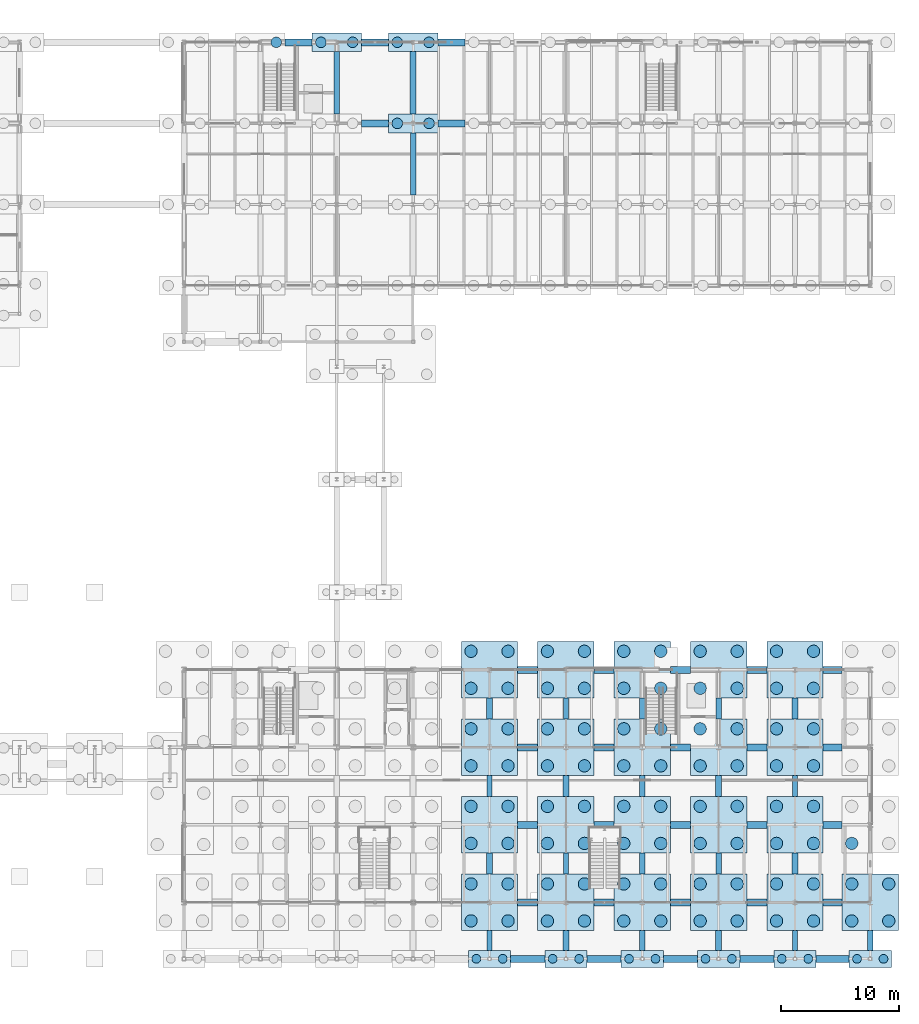
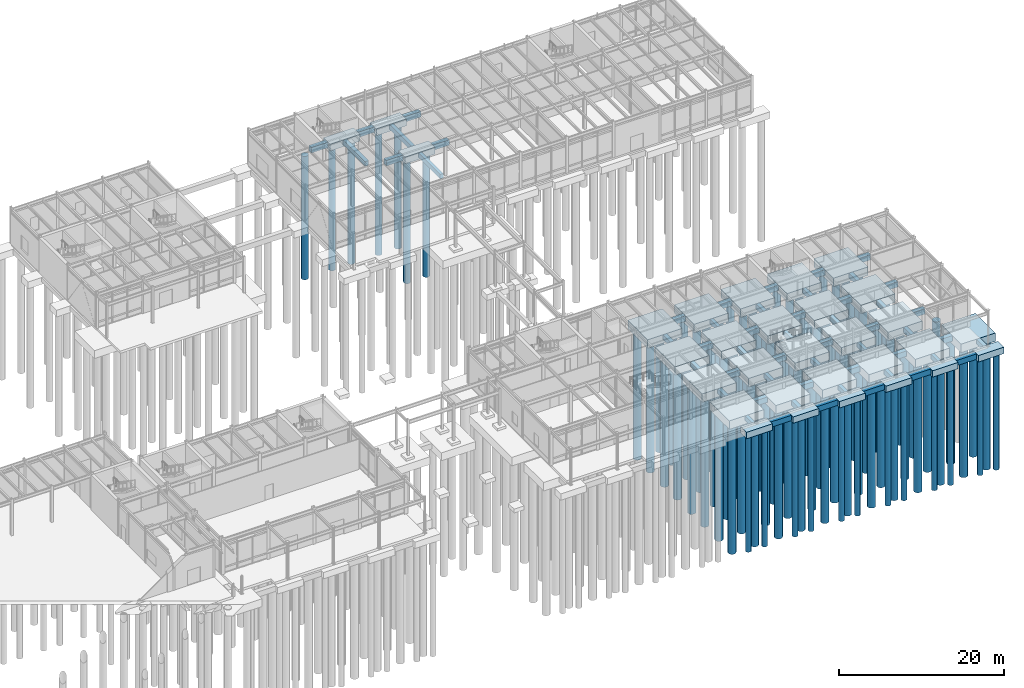
# One storey, part 6 of 82: 104 piles, 84 footings.
"""IFC4 building model written with IfcOpenShell, lengths in metres."""

from ifc_helpers import new_model, si_unit, direction, frame, origin, origin_2d, place, context, subcontext, project, spatial, rectangle, circle, extrude, material, material_profile, profile_set, type_object, element, save


model = new_model("IFC4")

# Units and contexts
model_context = context("Model", 3, precision=1e-05, world=origin(), true_north=direction((0.0, 1.0)))
body_context = subcontext(model_context, "Body", "Model", "MODEL_VIEW")
ifc_project = project(units=[si_unit("LENGTHUNIT", "METRE"), si_unit("AREAUNIT", "SQUARE_METRE"), si_unit("VOLUMEUNIT", "CUBIC_METRE"), si_unit("PLANEANGLEUNIT", "RADIAN"), si_unit("MASSUNIT", "GRAM", prefix="KILO")], contexts=[model_context])

# Site, building, storey
site_placement = place(None, origin())
site = spatial("IfcSite", under=ifc_project, at=site_placement, CompositionType="ELEMENT")
building_placement = place(site_placement, origin())
building = spatial("IfcBuilding", under=site, at=building_placement, Name="Trelmorton Wharf Fire Station", CompositionType="ELEMENT")
storey_placement = place(building_placement, origin())
storey = spatial("IfcBuildingStorey", under=building, at=storey_placement, Name="L00", CompositionType="ELEMENT", Elevation=0.0)

# Footings
ifc_material_1 = material(Name="Concrete 40 MPa", Category="concrete")
ifc_material_profile_1 = material_profile(ifc_material_1, rectangle(XDim=0.449951171875, YDim=0.64990234375, at=origin_2d()), Name="RC450x650")
ifc_profile_set_1 = profile_set([ifc_material_profile_1], Name="Concrete 40 MPa")
footing_type_1 = type_object("IfcFootingType", Name="GB_450x650", PredefinedType="FOOTING_BEAM", material=ifc_profile_set_1)
footing_1_placement = place(storey_placement, frame((123.5, 68.0, -0.675048828125), z_axis=(0.0, 1.0, 0.0), x_axis=(-1.0, 0.0, 0.0)))
element("IfcFooting", 1, at=footing_1_placement, inside=storey, type_object=footing_type_1, Name="FT-GB-321", PredefinedType="FOOTING_BEAM", context=body_context, shape_type="SweptSolid", body=[
    extrude(rectangle(XDim=0.449951171875, YDim=0.64990234375, at=origin_2d()), origin(), (0.0, 0.0, 1.0), 5.300048828125),
])
footing_2_placement = place(storey_placement, frame((130.0, 3.72509765625, -0.675048828125), z_axis=(0.0, 1.0, 0.0), x_axis=(-1.0, 0.0, 0.0)))
element("IfcFooting", 2, at=footing_2_placement, inside=storey, type_object=footing_type_1, Name="FT-GB-323", PredefinedType="FOOTING_BEAM", context=body_context, shape_type="SweptSolid", body=[
    extrude(rectangle(XDim=0.449951171875, YDim=0.64990234375, at=origin_2d()), origin(), (0.0, 0.0, 1.0), 1.6748046875),
])
for number, where, z_axis, x_axis, name in (
    (3, (130.0, 16.800048828125, -0.675048828125), (0.0, 1.0, 0.0), (-1.0, 0.0, 0.0), "FT-GB-325"),
    (4, (136.5, 10.199951171875, -0.675048828125), (0.0, 1.0, 0.0), (-1.0, 0.0, 0.0), "FT-GB-331"),
    (5, (136.5, 23.39990234375, -0.675048828125), (0.0, 1.0, 0.0), (-1.0, 0.0, 0.0), "FT-GB-333"),
):
    element("IfcFooting", number, at=place(storey_placement, frame(where, z_axis=z_axis, x_axis=x_axis)), inside=storey, type_object=footing_type_1, Name=name, PredefinedType="FOOTING_BEAM", context=body_context, shape_type="SweptSolid", body=[
        extrude(rectangle(XDim=0.449951171875, YDim=0.64990234375, at=origin_2d()), origin(), (0.0, 0.0, 1.0), 1.800048828125),
    ])
footing_3_placement = place(storey_placement, frame((143.0, 3.72509765625, -0.675048828125), z_axis=(0.0, 1.0, 0.0), x_axis=(-1.0, 0.0, 0.0)))
element("IfcFooting", 6, at=footing_3_placement, inside=storey, type_object=footing_type_1, Name="FT-GB-337", PredefinedType="FOOTING_BEAM", context=body_context, shape_type="SweptSolid", body=[
    extrude(rectangle(XDim=0.449951171875, YDim=0.64990234375, at=origin_2d()), origin(), (0.0, 0.0, 1.0), 1.6748046875),
])
for number, where, z_axis, x_axis, name in (
    (7, (143.0, 16.800048828125, -0.675048828125), (0.0, 1.0, 0.0), (-1.0, 0.0, 0.0), "FT-GB-339"),
    (8, (149.5, 10.199951171875, -0.675048828125), (0.0, 1.0, 0.0), (-1.0, 0.0, 0.0), "FT-GB-345"),
    (9, (149.5, 23.39990234375, -0.675048828125), (0.0, 1.0, 0.0), (-1.0, 0.0, 0.0), "FT-GB-347"),
):
    element("IfcFooting", number, at=place(storey_placement, frame(where, z_axis=z_axis, x_axis=x_axis)), inside=storey, type_object=footing_type_1, Name=name, PredefinedType="FOOTING_BEAM", context=body_context, shape_type="SweptSolid", body=[
        extrude(rectangle(XDim=0.449951171875, YDim=0.64990234375, at=origin_2d()), origin(), (0.0, 0.0, 1.0), 1.800048828125),
    ])
footing_4_placement = place(storey_placement, frame((156.0, 3.72509765625, -0.675048828125), z_axis=(0.0, 1.0, 0.0), x_axis=(-1.0, 0.0, 0.0)))
element("IfcFooting", 10, at=footing_4_placement, inside=storey, type_object=footing_type_1, Name="FT-GB-351", PredefinedType="FOOTING_BEAM", context=body_context, shape_type="SweptSolid", body=[
    extrude(rectangle(XDim=0.449951171875, YDim=0.64990234375, at=origin_2d()), origin(), (0.0, 0.0, 1.0), 1.6748046875),
])
footing_5_placement = place(storey_placement, frame((156.0, 16.800048828125, -0.675048828125), z_axis=(0.0, 1.0, 0.0), x_axis=(-1.0, 0.0, 0.0)))
element("IfcFooting", 11, at=footing_5_placement, inside=storey, type_object=footing_type_1, Name="FT-GB-353", PredefinedType="FOOTING_BEAM", context=body_context, shape_type="SweptSolid", body=[
    extrude(rectangle(XDim=0.449951171875, YDim=0.64990234375, at=origin_2d()), origin(), (0.0, 0.0, 1.0), 1.800048828125),
])
ifc_material_profile_2 = material_profile(ifc_material_1, rectangle(XDim=0.5, YDim=0.699951171875, at=origin_2d()), Name="RC500x700")
ifc_profile_set_2 = profile_set([ifc_material_profile_2], Name="Concrete 40 MPa")
footing_type_2 = type_object("IfcFootingType", Name="GB_500x700", PredefinedType="FOOTING_BEAM", material=ifc_profile_set_2)
for number, where, z_axis, x_axis, name in (
    (12, (117.0, 74.89990234375, -0.699951171875), (0.0, 1.0, 0.0), (-1.0, 0.0, 0.0), "FT-GB-314"),
    (13, (123.5, 74.89990234375, -0.699951171875), (0.0, 1.0, 0.0), (-1.0, 0.0, 0.0), "FT-GB-322"),
):
    element("IfcFooting", number, at=place(storey_placement, frame(where, z_axis=z_axis, x_axis=x_axis)), inside=storey, type_object=footing_type_2, Name=name, PredefinedType="FOOTING_BEAM", context=body_context, shape_type="SweptSolid", body=[
        extrude(rectangle(XDim=0.5, YDim=0.699951171875, at=origin_2d()), origin(), (0.0, 0.0, 1.0), 5.300048828125),
    ])
for number, where, z_axis, x_axis, name in (
    (14, (130.0, 10.199951171875, -0.699951171875), (0.0, 1.0, 0.0), (-1.0, 0.0, 0.0), "FT-GB-324"),
    (15, (130.0, 23.39990234375, -0.699951171875), (0.0, 1.0, 0.0), (-1.0, 0.0, 0.0), "FT-GB-326"),
):
    element("IfcFooting", number, at=place(storey_placement, frame(where, z_axis=z_axis, x_axis=x_axis)), inside=storey, type_object=footing_type_2, Name=name, PredefinedType="FOOTING_BEAM", context=body_context, shape_type="SweptSolid", body=[
        extrude(rectangle(XDim=0.5, YDim=0.699951171875, at=origin_2d()), origin(), (0.0, 0.0, 1.0), 1.800048828125),
    ])
footing_6_placement = place(storey_placement, frame((136.5, 3.72509765625, -0.699951171875), z_axis=(0.0, 1.0, 0.0), x_axis=(-1.0, 0.0, 0.0)))
element("IfcFooting", 16, at=footing_6_placement, inside=storey, type_object=footing_type_2, Name="FT-GB-330", PredefinedType="FOOTING_BEAM", context=body_context, shape_type="SweptSolid", body=[
    extrude(rectangle(XDim=0.5, YDim=0.699951171875, at=origin_2d()), origin(), (0.0, 0.0, 1.0), 1.6748046875),
])
for number, where, z_axis, x_axis, name in (
    (17, (136.5, 16.800048828125, -0.699951171875), (0.0, 1.0, 0.0), (-1.0, 0.0, 0.0), "FT-GB-332"),
    (18, (143.0, 10.199951171875, -0.699951171875), (0.0, 1.0, 0.0), (-1.0, 0.0, 0.0), "FT-GB-338"),
    (19, (143.0, 23.39990234375, -0.699951171875), (0.0, 1.0, 0.0), (-1.0, 0.0, 0.0), "FT-GB-340"),
):
    element("IfcFooting", number, at=place(storey_placement, frame(where, z_axis=z_axis, x_axis=x_axis)), inside=storey, type_object=footing_type_2, Name=name, PredefinedType="FOOTING_BEAM", context=body_context, shape_type="SweptSolid", body=[
        extrude(rectangle(XDim=0.5, YDim=0.699951171875, at=origin_2d()), origin(), (0.0, 0.0, 1.0), 1.800048828125),
    ])
footing_7_placement = place(storey_placement, frame((149.5, 3.72509765625, -0.699951171875), z_axis=(0.0, 1.0, 0.0), x_axis=(-1.0, 0.0, 0.0)))
element("IfcFooting", 20, at=footing_7_placement, inside=storey, type_object=footing_type_2, Name="FT-GB-344", PredefinedType="FOOTING_BEAM", context=body_context, shape_type="SweptSolid", body=[
    extrude(rectangle(XDim=0.5, YDim=0.699951171875, at=origin_2d()), origin(), (0.0, 0.0, 1.0), 1.6748046875),
])
for number, where, z_axis, x_axis, name in (
    (21, (149.5, 16.800048828125, -0.699951171875), (0.0, 1.0, 0.0), (-1.0, 0.0, 0.0), "FT-GB-346"),
    (22, (156.0, 10.199951171875, -0.699951171875), (0.0, 1.0, 0.0), (-1.0, 0.0, 0.0), "FT-GB-352"),
    (23, (156.0, 23.39990234375, -0.699951171875), (0.0, 1.0, 0.0), (-1.0, 0.0, 0.0), "FT-GB-354"),
):
    element("IfcFooting", number, at=place(storey_placement, frame(where, z_axis=z_axis, x_axis=x_axis)), inside=storey, type_object=footing_type_2, Name=name, PredefinedType="FOOTING_BEAM", context=body_context, shape_type="SweptSolid", body=[
        extrude(rectangle(XDim=0.5, YDim=0.699951171875, at=origin_2d()), origin(), (0.0, 0.0, 1.0), 1.800048828125),
    ])
footing_8_placement = place(storey_placement, frame((162.39990234375, 3.72509765625, -0.699951171875), z_axis=(0.0, 1.0, 0.0), x_axis=(-1.0, 0.0, 0.0)))
element("IfcFooting", 24, at=footing_8_placement, inside=storey, type_object=footing_type_2, Name="FT-GB-358", PredefinedType="FOOTING_BEAM", context=body_context, shape_type="SweptSolid", body=[
    extrude(rectangle(XDim=0.5, YDim=0.699951171875, at=origin_2d()), origin(), (0.0, 0.0, 1.0), 1.6748046875),
])
ifc_material_profile_3 = material_profile(ifc_material_1, rectangle(XDim=0.60009765625, YDim=0.800048828125, at=origin_2d()), Name="RC600x800")
ifc_profile_set_3 = profile_set([ifc_material_profile_3], Name="Concrete 40 MPa")
footing_type_3 = type_object("IfcFootingType", Name="GB_600x800", PredefinedType="FOOTING_BEAM", material=ifc_profile_set_3)
for number, where, z_axis, x_axis, name in (
    (25, (131.800048828125, 3.0, -0.75), (1.0, 0.0, 0.0), (0.0, 1.0, 0.0), "FT-GB-019"),
    (26, (138.300048828125, 3.0, -0.75), (1.0, 0.0, 0.0), (0.0, 1.0, 0.0), "FT-GB-020"),
    (27, (144.800048828125, 3.0, -0.75), (1.0, 0.0, 0.0), (0.0, 1.0, 0.0), "FT-GB-021"),
    (28, (151.300048828125, 3.0, -0.75), (1.0, 0.0, 0.0), (0.0, 1.0, 0.0), "FT-GB-022"),
):
    element("IfcFooting", number, at=place(storey_placement, frame(where, z_axis=z_axis, x_axis=x_axis)), inside=storey, type_object=footing_type_3, Name=name, PredefinedType="FOOTING_BEAM", context=body_context, shape_type="SweptSolid", body=[
        extrude(rectangle(XDim=0.60009765625, YDim=0.800048828125, at=origin_2d()), origin(), (0.0, 0.0, 1.0), 2.89990234375),
    ])
footing_9_placement = place(storey_placement, frame((157.800048828125, 3.0, -0.75), z_axis=(1.0, 0.0, 0.0), x_axis=(0.0, 1.0, 0.0)))
element("IfcFooting", 29, at=footing_9_placement, inside=storey, type_object=footing_type_3, Name="FT-GB-023", PredefinedType="FOOTING_BEAM", context=body_context, shape_type="SweptSolid", body=[
    extrude(rectangle(XDim=0.60009765625, YDim=0.800048828125, at=origin_2d()), origin(), (0.0, 0.0, 1.0), 2.800048828125),
])
for number, where, z_axis, x_axis, name in (
    (30, (132.39990234375, 7.800048828125, -0.75), (1.0, 0.0, 0.0), (0.0, 1.0, 0.0), "FT-GB-042"),
    (31, (138.89990234375, 7.800048828125, -0.75), (1.0, 0.0, 0.0), (0.0, 1.0, 0.0), "FT-GB-043"),
    (32, (145.39990234375, 7.800048828125, -0.75), (1.0, 0.0, 0.0), (0.0, 1.0, 0.0), "FT-GB-044"),
    (33, (151.89990234375, 7.800048828125, -0.75), (1.0, 0.0, 0.0), (0.0, 1.0, 0.0), "FT-GB-045"),
):
    element("IfcFooting", number, at=place(storey_placement, frame(where, z_axis=z_axis, x_axis=x_axis)), inside=storey, type_object=footing_type_3, Name=name, PredefinedType="FOOTING_BEAM", context=body_context, shape_type="SweptSolid", body=[
        extrude(rectangle(XDim=0.60009765625, YDim=0.800048828125, at=origin_2d()), origin(), (0.0, 0.0, 1.0), 1.7001953125),
    ])
footing_10_placement = place(storey_placement, frame((158.39990234375, 7.800048828125, -0.75), z_axis=(1.0, 0.0, 0.0), x_axis=(0.0, 1.0, 0.0)))
element("IfcFooting", 34, at=footing_10_placement, inside=storey, type_object=footing_type_3, Name="FT-GB-046", PredefinedType="FOOTING_BEAM", context=body_context, shape_type="SweptSolid", body=[
    extrude(rectangle(XDim=0.60009765625, YDim=0.800048828125, at=origin_2d()), origin(), (0.0, 0.0, 1.0), 1.60009765625),
])
for number, where, z_axis, x_axis, name in (
    (35, (132.39990234375, 14.39990234375, -0.75), (1.0, 0.0, 0.0), (0.0, 1.0, 0.0), "FT-GB-052"),
    (36, (138.89990234375, 14.39990234375, -0.75), (1.0, 0.0, 0.0), (0.0, 1.0, 0.0), "FT-GB-053"),
    (37, (145.39990234375, 14.39990234375, -0.75), (1.0, 0.0, 0.0), (0.0, 1.0, 0.0), "FT-GB-054"),
    (38, (151.89990234375, 14.39990234375, -0.75), (1.0, 0.0, 0.0), (0.0, 1.0, 0.0), "FT-GB-055"),
):
    element("IfcFooting", number, at=place(storey_placement, frame(where, z_axis=z_axis, x_axis=x_axis)), inside=storey, type_object=footing_type_3, Name=name, PredefinedType="FOOTING_BEAM", context=body_context, shape_type="SweptSolid", body=[
        extrude(rectangle(XDim=0.60009765625, YDim=0.800048828125, at=origin_2d()), origin(), (0.0, 0.0, 1.0), 1.7001953125),
    ])
footing_11_placement = place(storey_placement, frame((158.39990234375, 14.39990234375, -0.75), z_axis=(1.0, 0.0, 0.0), x_axis=(0.0, 1.0, 0.0)))
element("IfcFooting", 39, at=footing_11_placement, inside=storey, type_object=footing_type_3, Name="FT-GB-056", PredefinedType="FOOTING_BEAM", context=body_context, shape_type="SweptSolid", body=[
    extrude(rectangle(XDim=0.60009765625, YDim=0.800048828125, at=origin_2d()), origin(), (0.0, 0.0, 1.0), 1.60009765625),
])
for number, where, z_axis, x_axis, name in (
    (40, (132.39990234375, 21.0, -0.75), (1.0, 0.0, 0.0), (0.0, 1.0, 0.0), "FT-GB-067"),
    (41, (138.89990234375, 21.0, -0.75), (1.0, 0.0, 0.0), (0.0, 1.0, 0.0), "FT-GB-068"),
    (42, (145.39990234375, 21.0, -0.75), (1.0, 0.0, 0.0), (0.0, 1.0, 0.0), "FT-GB-069"),
    (43, (151.89990234375, 21.0, -0.75), (1.0, 0.0, 0.0), (0.0, 1.0, 0.0), "FT-GB-070"),
):
    element("IfcFooting", number, at=place(storey_placement, frame(where, z_axis=z_axis, x_axis=x_axis)), inside=storey, type_object=footing_type_3, Name=name, PredefinedType="FOOTING_BEAM", context=body_context, shape_type="SweptSolid", body=[
        extrude(rectangle(XDim=0.60009765625, YDim=0.800048828125, at=origin_2d()), origin(), (0.0, 0.0, 1.0), 1.7001953125),
    ])
footing_12_placement = place(storey_placement, frame((158.39990234375, 21.0, -0.75), z_axis=(1.0, 0.0, 0.0), x_axis=(0.0, 1.0, 0.0)))
element("IfcFooting", 44, at=footing_12_placement, inside=storey, type_object=footing_type_3, Name="FT-GB-071", PredefinedType="FOOTING_BEAM", context=body_context, shape_type="SweptSolid", body=[
    extrude(rectangle(XDim=0.60009765625, YDim=0.800048828125, at=origin_2d()), origin(), (0.0, 0.0, 1.0), 1.60009765625),
])
for number, where, z_axis, x_axis, name in (
    (45, (132.39990234375, 27.60009765625, -0.75), (1.0, 0.0, 0.0), (0.0, 1.0, 0.0), "FT-GB-090"),
    (46, (138.89990234375, 27.60009765625, -0.75), (1.0, 0.0, 0.0), (0.0, 1.0, 0.0), "FT-GB-091"),
    (47, (145.39990234375, 27.60009765625, -0.75), (1.0, 0.0, 0.0), (0.0, 1.0, 0.0), "FT-GB-092"),
    (48, (151.89990234375, 27.60009765625, -0.75), (1.0, 0.0, 0.0), (0.0, 1.0, 0.0), "FT-GB-093"),
):
    element("IfcFooting", number, at=place(storey_placement, frame(where, z_axis=z_axis, x_axis=x_axis)), inside=storey, type_object=footing_type_3, Name=name, PredefinedType="FOOTING_BEAM", context=body_context, shape_type="SweptSolid", body=[
        extrude(rectangle(XDim=0.60009765625, YDim=0.800048828125, at=origin_2d()), origin(), (0.0, 0.0, 1.0), 1.7001953125),
    ])
footing_13_placement = place(storey_placement, frame((158.39990234375, 27.60009765625, -0.75), z_axis=(1.0, 0.0, 0.0), x_axis=(0.0, 1.0, 0.0)))
element("IfcFooting", 49, at=footing_13_placement, inside=storey, type_object=footing_type_3, Name="FT-GB-094", PredefinedType="FOOTING_BEAM", context=body_context, shape_type="SweptSolid", body=[
    extrude(rectangle(XDim=0.60009765625, YDim=0.800048828125, at=origin_2d()), origin(), (0.0, 0.0, 1.0), 1.60009765625),
])
for number, where, z_axis, x_axis, name in (
    (50, (119.10009765625, 74.10009765625, -0.75), (1.0, 0.0, 0.0), (0.0, 1.0, 0.0), "FT-GB-171"),
    (51, (125.60009765625, 74.10009765625, -0.75), (1.0, 0.0, 0.0), (0.0, 1.0, 0.0), "FT-GB-172"),
    (52, (112.60009765625, 81.0, -0.75), (1.0, 0.0, 0.0), (0.0, 1.0, 0.0), "FT-GB-191"),
    (53, (119.10009765625, 81.0, -0.75), (1.0, 0.0, 0.0), (0.0, 1.0, 0.0), "FT-GB-192"),
    (54, (125.60009765625, 81.0, -0.75), (1.0, 0.0, 0.0), (0.0, 1.0, 0.0), "FT-GB-193"),
):
    element("IfcFooting", number, at=place(storey_placement, frame(where, z_axis=z_axis, x_axis=x_axis)), inside=storey, type_object=footing_type_3, Name=name, PredefinedType="FOOTING_BEAM", context=body_context, shape_type="SweptSolid", body=[
        extrude(rectangle(XDim=0.60009765625, YDim=0.800048828125, at=origin_2d()), origin(), (0.0, 0.0, 1.0), 2.2998046875),
    ])
footing_type_4 = type_object("IfcFootingType", Name="PC_2P_750_W", PredefinedType="PILE_CAP", material=ifc_material_1)
for number, where, z_axis, x_axis, name in (
    (55, (130.0, 3.0, -1.2998046875), (0.0, 0.0, 1.0), (1.0, 0.0, 0.0), "FT-CAP-175"),
    (56, (136.5, 3.0, -1.2998046875), (0.0, 0.0, 1.0), (1.0, 0.0, 0.0), "FT-CAP-184"),
    (57, (143.0, 3.0, -1.2998046875), (0.0, 0.0, 1.0), (1.0, 0.0, 0.0), "FT-CAP-193"),
    (58, (149.5, 3.0, -1.2998046875), (0.0, 0.0, 1.0), (1.0, 0.0, 0.0), "FT-CAP-202"),
    (59, (156.0, 3.0, -1.2998046875), (0.0, 0.0, 1.0), (1.0, 0.0, 0.0), "FT-CAP-211"),
    (60, (162.39990234375, 3.0, -1.2998046875), (0.0, 0.0, 1.0), (1.0, 0.0, 0.0), "FT-CAP-220"),
):
    element("IfcFooting", number, at=place(storey_placement, frame(where, z_axis=z_axis, x_axis=x_axis)), inside=storey, type_object=footing_type_4, Name=name, PredefinedType="PILE_CAP", context=body_context, shape_type="SweptSolid", body=[
        extrude(rectangle(XDim=3.60009765625, YDim=1.449951171875, at=origin_2d()), origin(), (0.0, 0.0, 1.0), 0.949951171875),
    ])
footing_type_5 = type_object("IfcFootingType", Name="PC_2P_900_W", PredefinedType="PILE_CAP", material=ifc_material_1)
for number, where, z_axis, x_axis, name in (
    (61, (117.0, 81.0, -1.35009765625), (0.0, 0.0, 1.0), (1.0, 0.0, 0.0), "FT-CAP-163"),
    (62, (123.5, 74.10009765625, -1.35009765625), (0.0, 0.0, 1.0), (1.0, 0.0, 0.0), "FT-CAP-173"),
    (63, (123.5, 81.0, -1.35009765625), (0.0, 0.0, 1.0), (1.0, 0.0, 0.0), "FT-CAP-174"),
):
    element("IfcFooting", number, at=place(storey_placement, frame(where, z_axis=z_axis, x_axis=x_axis)), inside=storey, type_object=footing_type_5, Name=name, PredefinedType="PILE_CAP", context=body_context, shape_type="SweptSolid", body=[
        extrude(rectangle(XDim=4.199951171875, YDim=1.60009765625, at=origin_2d()), origin(), (0.0, 0.0, 1.0), 1.0),
    ])
footing_type_6 = type_object("IfcFootingType", Name="PC_4P_1050_W", PredefinedType="PILE_CAP", material=ifc_material_1)
for number, where, z_axis, x_axis, name in (
    (64, (130.0, 7.800048828125, -1.60009765625), (0.0, 0.0, 1.0), (1.0, 0.0, 0.0), "FT-CAP-176"),
    (65, (130.0, 14.39990234375, -1.60009765625), (0.0, 0.0, 1.0), (1.0, 0.0, 0.0), "FT-CAP-177"),
    (66, (130.0, 21.0, -1.60009765625), (0.0, 0.0, 1.0), (1.0, 0.0, 0.0), "FT-CAP-178"),
    (67, (130.0, 27.60009765625, -1.60009765625), (0.0, 0.0, 1.0), (1.0, 0.0, 0.0), "FT-CAP-179"),
    (68, (136.5, 7.800048828125, -1.60009765625), (0.0, 0.0, 1.0), (1.0, 0.0, 0.0), "FT-CAP-185"),
    (69, (136.5, 14.39990234375, -1.60009765625), (0.0, 0.0, 1.0), (1.0, 0.0, 0.0), "FT-CAP-186"),
    (70, (136.5, 21.0, -1.60009765625), (0.0, 0.0, 1.0), (1.0, 0.0, 0.0), "FT-CAP-187"),
    (71, (136.5, 27.60009765625, -1.60009765625), (0.0, 0.0, 1.0), (1.0, 0.0, 0.0), "FT-CAP-188"),
    (72, (143.0, 7.800048828125, -1.60009765625), (0.0, 0.0, 1.0), (1.0, 0.0, 0.0), "FT-CAP-194"),
    (73, (143.0, 14.39990234375, -1.60009765625), (0.0, 0.0, 1.0), (1.0, 0.0, 0.0), "FT-CAP-195"),
    (74, (143.0, 21.0, -1.60009765625), (0.0, 0.0, 1.0), (1.0, 0.0, 0.0), "FT-CAP-196"),
    (75, (143.0, 27.60009765625, -1.60009765625), (0.0, 0.0, 1.0), (1.0, 0.0, 0.0), "FT-CAP-197"),
    (76, (149.5, 7.800048828125, -1.60009765625), (0.0, 0.0, 1.0), (1.0, 0.0, 0.0), "FT-CAP-203"),
    (77, (149.5, 14.39990234375, -1.60009765625), (0.0, 0.0, 1.0), (1.0, 0.0, 0.0), "FT-CAP-204"),
    (78, (149.5, 21.0, -1.60009765625), (0.0, 0.0, 1.0), (1.0, 0.0, 0.0), "FT-CAP-205"),
    (79, (149.5, 27.60009765625, -1.60009765625), (0.0, 0.0, 1.0), (1.0, 0.0, 0.0), "FT-CAP-206"),
    (80, (156.0, 7.800048828125, -1.60009765625), (0.0, 0.0, 1.0), (1.0, 0.0, 0.0), "FT-CAP-212"),
    (81, (156.0, 14.39990234375, -1.60009765625), (0.0, 0.0, 1.0), (1.0, 0.0, 0.0), "FT-CAP-213"),
    (82, (156.0, 21.0, -1.60009765625), (0.0, 0.0, 1.0), (1.0, 0.0, 0.0), "FT-CAP-214"),
    (83, (156.0, 27.60009765625, -1.60009765625), (0.0, 0.0, 1.0), (1.0, 0.0, 0.0), "FT-CAP-215"),
    (84, (162.39990234375, 7.800048828125, -1.60009765625), (0.0, 0.0, 1.0), (1.0, 0.0, 0.0), "FT-CAP-221"),
):
    element("IfcFooting", number, at=place(storey_placement, frame(where, z_axis=z_axis, x_axis=x_axis)), inside=storey, type_object=footing_type_6, Name=name, PredefinedType="PILE_CAP", context=body_context, shape_type="SweptSolid", body=[
        extrude(rectangle(XDim=4.800048828125, YDim=4.800048828125, at=origin_2d()), origin(), (0.0, 0.0, 1.0), 1.25),
    ])

# Piles
ifc_material_2 = material(Name="Concrete 45 MPa", Category="concrete")
ifc_material_profile_4 = material_profile(ifc_material_2, circle(Radius=0.52490234375, at=origin_2d()), Name="PILE-D1050")
ifc_profile_set_4 = profile_set([ifc_material_profile_4], Name="Concrete 45 MPa")
pile_type_1 = type_object("IfcPileType", Name="PILE_D1050", PredefinedType="BORED", material=ifc_profile_set_4)
for number, where, z_axis, x_axis, name in (
    (85, (128.425048828125, 6.22509765625, -1.5), (0.0, 0.0, -1.0), (1.0, 0.0, 0.0), "PL-0427"),
    (86, (131.574951171875, 6.22509765625, -1.5), (0.0, 0.0, -1.0), (1.0, 0.0, 0.0), "PL-0428"),
    (87, (128.425048828125, 9.375, -1.5), (0.0, 0.0, -1.0), (1.0, 0.0, 0.0), "PL-0429"),
    (88, (131.574951171875, 9.375, -1.5), (0.0, 0.0, -1.0), (1.0, 0.0, 0.0), "PL-0430"),
    (89, (128.425048828125, 12.824951171875, -1.5), (0.0, 0.0, -1.0), (1.0, 0.0, 0.0), "PL-0431"),
    (90, (131.574951171875, 12.824951171875, -1.5), (0.0, 0.0, -1.0), (1.0, 0.0, 0.0), "PL-0432"),
    (91, (128.425048828125, 15.97509765625, -1.5), (0.0, 0.0, -1.0), (1.0, 0.0, 0.0), "PL-0433"),
    (92, (131.574951171875, 15.97509765625, -1.5), (0.0, 0.0, -1.0), (1.0, 0.0, 0.0), "PL-0434"),
    (93, (128.425048828125, 19.425048828125, -1.5), (0.0, 0.0, -1.0), (1.0, 0.0, 0.0), "PL-0435"),
    (94, (131.574951171875, 19.425048828125, -1.5), (0.0, 0.0, -1.0), (1.0, 0.0, 0.0), "PL-0436"),
    (95, (128.425048828125, 22.574951171875, -1.5), (0.0, 0.0, -1.0), (1.0, 0.0, 0.0), "PL-0437"),
    (96, (131.574951171875, 22.574951171875, -1.5), (0.0, 0.0, -1.0), (1.0, 0.0, 0.0), "PL-0438"),
    (97, (128.425048828125, 26.02490234375, -1.5), (0.0, 0.0, -1.0), (1.0, 0.0, 0.0), "PL-0439"),
    (98, (131.574951171875, 26.02490234375, -1.5), (0.0, 0.0, -1.0), (1.0, 0.0, 0.0), "PL-0440"),
    (99, (128.425048828125, 29.175048828125, -1.5), (0.0, 0.0, -1.0), (1.0, 0.0, 0.0), "PL-0441"),
    (100, (131.574951171875, 29.175048828125, -1.5), (0.0, 0.0, -1.0), (1.0, 0.0, 0.0), "PL-0442"),
    (101, (134.925048828125, 6.22509765625, -1.5), (0.0, 0.0, -1.0), (1.0, 0.0, 0.0), "PL-0453"),
    (102, (138.074951171875, 6.22509765625, -1.5), (0.0, 0.0, -1.0), (1.0, 0.0, 0.0), "PL-0454"),
    (103, (134.925048828125, 9.375, -1.5), (0.0, 0.0, -1.0), (1.0, 0.0, 0.0), "PL-0455"),
    (104, (138.074951171875, 9.375, -1.5), (0.0, 0.0, -1.0), (1.0, 0.0, 0.0), "PL-0456"),
    (105, (134.925048828125, 12.824951171875, -1.5), (0.0, 0.0, -1.0), (1.0, 0.0, 0.0), "PL-0457"),
    (106, (138.074951171875, 12.824951171875, -1.5), (0.0, 0.0, -1.0), (1.0, 0.0, 0.0), "PL-0458"),
    (107, (134.925048828125, 15.97509765625, -1.5), (0.0, 0.0, -1.0), (1.0, 0.0, 0.0), "PL-0459"),
    (108, (138.074951171875, 15.97509765625, -1.5), (0.0, 0.0, -1.0), (1.0, 0.0, 0.0), "PL-0460"),
    (109, (134.925048828125, 19.425048828125, -1.5), (0.0, 0.0, -1.0), (1.0, 0.0, 0.0), "PL-0461"),
    (110, (138.074951171875, 19.425048828125, -1.5), (0.0, 0.0, -1.0), (1.0, 0.0, 0.0), "PL-0462"),
    (111, (134.925048828125, 22.574951171875, -1.5), (0.0, 0.0, -1.0), (1.0, 0.0, 0.0), "PL-0463"),
    (112, (138.074951171875, 22.574951171875, -1.5), (0.0, 0.0, -1.0), (1.0, 0.0, 0.0), "PL-0464"),
    (113, (134.925048828125, 26.02490234375, -1.5), (0.0, 0.0, -1.0), (1.0, 0.0, 0.0), "PL-0465"),
    (114, (138.074951171875, 26.02490234375, -1.5), (0.0, 0.0, -1.0), (1.0, 0.0, 0.0), "PL-0466"),
    (115, (134.925048828125, 29.175048828125, -1.5), (0.0, 0.0, -1.0), (1.0, 0.0, 0.0), "PL-0467"),
    (116, (138.074951171875, 29.175048828125, -1.5), (0.0, 0.0, -1.0), (1.0, 0.0, 0.0), "PL-0468"),
    (117, (141.425048828125, 6.22509765625, -1.5), (0.0, 0.0, -1.0), (1.0, 0.0, 0.0), "PL-0479"),
    (118, (144.574951171875, 6.22509765625, -1.5), (0.0, 0.0, -1.0), (1.0, 0.0, 0.0), "PL-0480"),
    (119, (141.425048828125, 9.375, -1.5), (0.0, 0.0, -1.0), (1.0, 0.0, 0.0), "PL-0481"),
    (120, (144.574951171875, 9.375, -1.5), (0.0, 0.0, -1.0), (1.0, 0.0, 0.0), "PL-0482"),
    (121, (141.425048828125, 12.824951171875, -1.5), (0.0, 0.0, -1.0), (1.0, 0.0, 0.0), "PL-0483"),
    (122, (144.574951171875, 12.824951171875, -1.5), (0.0, 0.0, -1.0), (1.0, 0.0, 0.0), "PL-0484"),
    (123, (141.425048828125, 15.97509765625, -1.5), (0.0, 0.0, -1.0), (1.0, 0.0, 0.0), "PL-0485"),
    (124, (144.574951171875, 15.97509765625, -1.5), (0.0, 0.0, -1.0), (1.0, 0.0, 0.0), "PL-0486"),
    (125, (141.425048828125, 19.425048828125, -1.5), (0.0, 0.0, -1.0), (1.0, 0.0, 0.0), "PL-0487"),
    (126, (144.574951171875, 19.425048828125, -1.5), (0.0, 0.0, -1.0), (1.0, 0.0, 0.0), "PL-0488"),
    (127, (141.425048828125, 22.574951171875, -1.5), (0.0, 0.0, -1.0), (1.0, 0.0, 0.0), "PL-0489"),
    (128, (144.574951171875, 22.574951171875, -1.5), (0.0, 0.0, -1.0), (1.0, 0.0, 0.0), "PL-0490"),
    (129, (141.425048828125, 26.02490234375, -1.5), (0.0, 0.0, -1.0), (1.0, 0.0, 0.0), "PL-0491"),
    (130, (144.574951171875, 26.02490234375, -1.5), (0.0, 0.0, -1.0), (1.0, 0.0, 0.0), "PL-0492"),
    (131, (141.425048828125, 29.175048828125, -1.5), (0.0, 0.0, -1.0), (1.0, 0.0, 0.0), "PL-0493"),
    (132, (144.574951171875, 29.175048828125, -1.5), (0.0, 0.0, -1.0), (1.0, 0.0, 0.0), "PL-0494"),
    (133, (147.925048828125, 6.22509765625, -1.5), (0.0, 0.0, -1.0), (1.0, 0.0, 0.0), "PL-0505"),
    (134, (151.074951171875, 6.22509765625, -1.5), (0.0, 0.0, -1.0), (1.0, 0.0, 0.0), "PL-0506"),
    (135, (147.925048828125, 9.375, -1.5), (0.0, 0.0, -1.0), (1.0, 0.0, 0.0), "PL-0507"),
    (136, (151.074951171875, 9.375, -1.5), (0.0, 0.0, -1.0), (1.0, 0.0, 0.0), "PL-0508"),
    (137, (147.925048828125, 12.824951171875, -1.5), (0.0, 0.0, -1.0), (1.0, 0.0, 0.0), "PL-0509"),
    (138, (151.074951171875, 12.824951171875, -1.5), (0.0, 0.0, -1.0), (1.0, 0.0, 0.0), "PL-0510"),
    (139, (147.925048828125, 15.97509765625, -1.5), (0.0, 0.0, -1.0), (1.0, 0.0, 0.0), "PL-0511"),
    (140, (151.074951171875, 15.97509765625, -1.5), (0.0, 0.0, -1.0), (1.0, 0.0, 0.0), "PL-0512"),
    (141, (147.925048828125, 19.425048828125, -1.5), (0.0, 0.0, -1.0), (1.0, 0.0, 0.0), "PL-0513"),
    (142, (151.074951171875, 19.425048828125, -1.5), (0.0, 0.0, -1.0), (1.0, 0.0, 0.0), "PL-0514"),
    (143, (147.925048828125, 22.574951171875, -1.5), (0.0, 0.0, -1.0), (1.0, 0.0, 0.0), "PL-0515"),
    (144, (151.074951171875, 22.574951171875, -1.5), (0.0, 0.0, -1.0), (1.0, 0.0, 0.0), "PL-0516"),
    (145, (147.925048828125, 26.02490234375, -1.5), (0.0, 0.0, -1.0), (1.0, 0.0, 0.0), "PL-0517"),
    (146, (151.074951171875, 26.02490234375, -1.5), (0.0, 0.0, -1.0), (1.0, 0.0, 0.0), "PL-0518"),
    (147, (147.925048828125, 29.175048828125, -1.5), (0.0, 0.0, -1.0), (1.0, 0.0, 0.0), "PL-0519"),
    (148, (151.074951171875, 29.175048828125, -1.5), (0.0, 0.0, -1.0), (1.0, 0.0, 0.0), "PL-0520"),
    (149, (154.425048828125, 6.22509765625, -1.5), (0.0, 0.0, -1.0), (1.0, 0.0, 0.0), "PL-0531"),
    (150, (157.574951171875, 6.22509765625, -1.5), (0.0, 0.0, -1.0), (1.0, 0.0, 0.0), "PL-0532"),
    (151, (154.425048828125, 9.375, -1.5), (0.0, 0.0, -1.0), (1.0, 0.0, 0.0), "PL-0533"),
    (152, (157.574951171875, 9.375, -1.5), (0.0, 0.0, -1.0), (1.0, 0.0, 0.0), "PL-0534"),
    (153, (154.425048828125, 12.824951171875, -1.5), (0.0, 0.0, -1.0), (1.0, 0.0, 0.0), "PL-0535"),
    (154, (157.574951171875, 12.824951171875, -1.5), (0.0, 0.0, -1.0), (1.0, 0.0, 0.0), "PL-0536"),
    (155, (154.425048828125, 15.97509765625, -1.5), (0.0, 0.0, -1.0), (1.0, 0.0, 0.0), "PL-0537"),
    (156, (157.574951171875, 15.97509765625, -1.5), (0.0, 0.0, -1.0), (1.0, 0.0, 0.0), "PL-0538"),
    (157, (154.425048828125, 19.425048828125, -1.5), (0.0, 0.0, -1.0), (1.0, 0.0, 0.0), "PL-0539"),
    (158, (157.574951171875, 19.425048828125, -1.5), (0.0, 0.0, -1.0), (1.0, 0.0, 0.0), "PL-0540"),
    (159, (154.425048828125, 22.574951171875, -1.5), (0.0, 0.0, -1.0), (1.0, 0.0, 0.0), "PL-0541"),
    (160, (157.574951171875, 22.574951171875, -1.5), (0.0, 0.0, -1.0), (1.0, 0.0, 0.0), "PL-0542"),
    (161, (154.425048828125, 26.02490234375, -1.5), (0.0, 0.0, -1.0), (1.0, 0.0, 0.0), "PL-0543"),
    (162, (157.574951171875, 26.02490234375, -1.5), (0.0, 0.0, -1.0), (1.0, 0.0, 0.0), "PL-0544"),
    (163, (154.425048828125, 29.175048828125, -1.5), (0.0, 0.0, -1.0), (1.0, 0.0, 0.0), "PL-0545"),
    (164, (157.574951171875, 29.175048828125, -1.5), (0.0, 0.0, -1.0), (1.0, 0.0, 0.0), "PL-0546"),
    (165, (160.824951171875, 6.22509765625, -1.5), (0.0, 0.0, -1.0), (1.0, 0.0, 0.0), "PL-0557"),
    (166, (163.97509765625, 6.22509765625, -1.5), (0.0, 0.0, -1.0), (1.0, 0.0, 0.0), "PL-0558"),
    (167, (160.824951171875, 9.375, -1.5), (0.0, 0.0, -1.0), (1.0, 0.0, 0.0), "PL-0559"),
    (168, (163.97509765625, 9.375, -1.5), (0.0, 0.0, -1.0), (1.0, 0.0, 0.0), "PL-0560"),
    (169, (160.824951171875, 12.824951171875, -1.5), (0.0, 0.0, -1.0), (1.0, 0.0, 0.0), "PL-0561"),
):
    element("IfcPile", number, at=place(storey_placement, frame(where, z_axis=z_axis, x_axis=x_axis)), inside=storey, type_object=pile_type_1, Name=name, PredefinedType="BORED", context=body_context, shape_type="SweptSolid", body=[
        extrude(circle(Radius=0.52490234375, at=origin_2d()), origin(), (0.0, 0.0, 1.0), 19.0),
    ])
ifc_material_profile_5 = material_profile(ifc_material_2, circle(Radius=0.375, at=origin_2d()), Name="PILE-D750")
ifc_profile_set_5 = profile_set([ifc_material_profile_5], Name="Concrete 45 MPa")
pile_type_2 = type_object("IfcPileType", Name="PILE_D750", PredefinedType="BORED", material=ifc_profile_set_5)
for number, where, z_axis, x_axis, name in (
    (170, (128.875, 3.0, -1.199951171875), (0.0, 0.0, -1.0), (1.0, 0.0, 0.0), "PL-0425"),
    (171, (131.125, 3.0, -1.199951171875), (0.0, 0.0, -1.0), (1.0, 0.0, 0.0), "PL-0426"),
    (172, (135.375, 3.0, -1.199951171875), (0.0, 0.0, -1.0), (1.0, 0.0, 0.0), "PL-0451"),
    (173, (137.625, 3.0, -1.199951171875), (0.0, 0.0, -1.0), (1.0, 0.0, 0.0), "PL-0452"),
    (174, (141.875, 3.0, -1.199951171875), (0.0, 0.0, -1.0), (1.0, 0.0, 0.0), "PL-0477"),
    (175, (144.125, 3.0, -1.199951171875), (0.0, 0.0, -1.0), (1.0, 0.0, 0.0), "PL-0478"),
    (176, (148.375, 3.0, -1.199951171875), (0.0, 0.0, -1.0), (1.0, 0.0, 0.0), "PL-0503"),
    (177, (150.625, 3.0, -1.199951171875), (0.0, 0.0, -1.0), (1.0, 0.0, 0.0), "PL-0504"),
    (178, (154.875, 3.0, -1.199951171875), (0.0, 0.0, -1.0), (1.0, 0.0, 0.0), "PL-0529"),
    (179, (157.125, 3.0, -1.199951171875), (0.0, 0.0, -1.0), (1.0, 0.0, 0.0), "PL-0530"),
    (180, (161.27490234375, 3.0, -1.199951171875), (0.0, 0.0, -1.0), (1.0, 0.0, 0.0), "PL-0555"),
    (181, (163.52490234375, 3.0, -1.199951171875), (0.0, 0.0, -1.0), (1.0, 0.0, 0.0), "PL-0556"),
):
    element("IfcPile", number, at=place(storey_placement, frame(where, z_axis=z_axis, x_axis=x_axis)), inside=storey, type_object=pile_type_2, Name=name, PredefinedType="BORED", context=body_context, shape_type="SweptSolid", body=[
        extrude(circle(Radius=0.375, at=origin_2d()), origin(), (0.0, 0.0, 1.0), 17.300048828125),
    ])
ifc_material_profile_6 = material_profile(ifc_material_2, circle(Radius=0.449951171875, at=origin_2d()), Name="PILE-D900")
ifc_profile_set_6 = profile_set([ifc_material_profile_6], Name="Concrete 45 MPa")
pile_type_3 = type_object("IfcPileType", Name="PILE_D900", PredefinedType="BORED", material=ifc_profile_set_6)
for number, where, z_axis, x_axis, name in (
    (182, (111.85009765625, 81.0, -1.25), (0.0, 0.0, -1.0), (1.0, 0.0, 0.0), "PL-0356"),
    (183, (115.64990234375, 81.0, -1.25), (0.0, 0.0, -1.0), (1.0, 0.0, 0.0), "PL-0393"),
    (184, (118.35009765625, 81.0, -1.25), (0.0, 0.0, -1.0), (1.0, 0.0, 0.0), "PL-0394"),
    (185, (122.14990234375, 74.10009765625, -1.25), (0.0, 0.0, -1.0), (1.0, 0.0, 0.0), "PL-0421"),
    (186, (124.85009765625, 74.10009765625, -1.25), (0.0, 0.0, -1.0), (1.0, 0.0, 0.0), "PL-0422"),
    (187, (122.14990234375, 81.0, -1.25), (0.0, 0.0, -1.0), (1.0, 0.0, 0.0), "PL-0423"),
    (188, (124.85009765625, 81.0, -1.25), (0.0, 0.0, -1.0), (1.0, 0.0, 0.0), "PL-0424"),
):
    element("IfcPile", number, at=place(storey_placement, frame(where, z_axis=z_axis, x_axis=x_axis)), inside=storey, type_object=pile_type_3, Name=name, PredefinedType="BORED", context=body_context, shape_type="SweptSolid", body=[
        extrude(circle(Radius=0.449951171875, at=origin_2d()), origin(), (0.0, 0.0, 1.0), 18.25),
    ])

save(model, "model.ifc")
